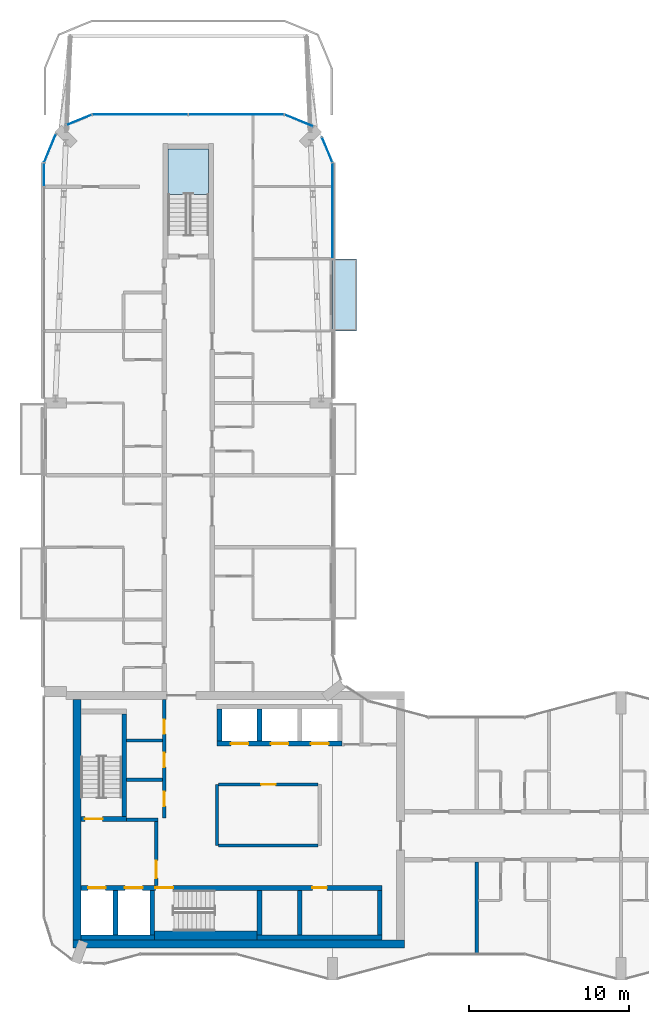
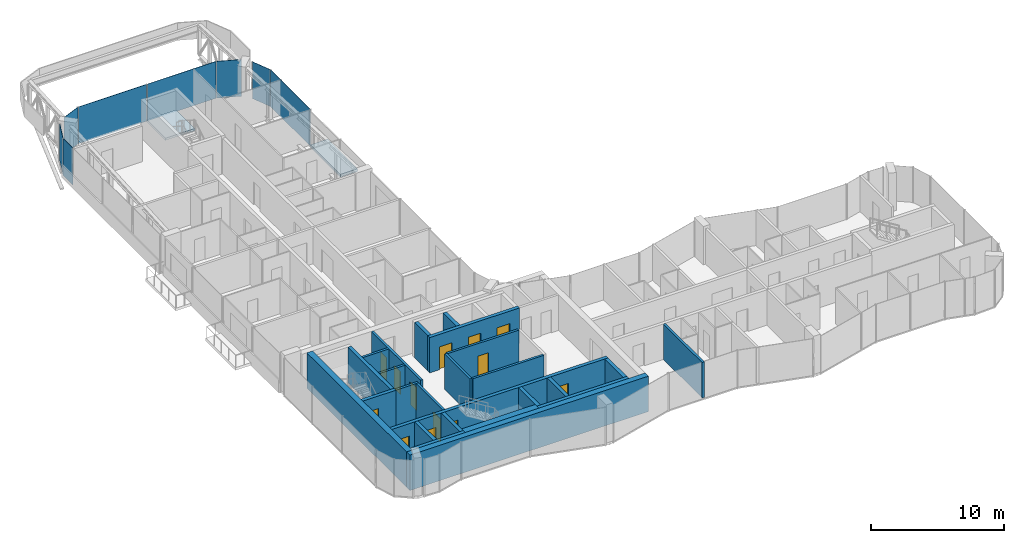
# One storey, part 9 of 17: 25 walls, 13 doors, 8 plates, 2 slabs, 13 openings, 8 elements without a shape of their own.
"""IFC4 building model written with IfcOpenShell, lengths in metres."""

from ifc_helpers import new_model, si_unit, direction, frame, frame_2d, origin, origin_2d, place, context, subcontext, project, spatial, polyline, rectangle, outline, extrude, material, layer, layer_set, type_object, element, fill, aggregate, save


model = new_model("IFC4")

# Units and contexts
model_context = context("Model", 3, precision=1e-05, world=origin(), true_north=direction((0.0, 1.0)))
body_context = subcontext(model_context, "Body", "Model", "MODEL_VIEW")
ifc_project = project(units=[si_unit("LENGTHUNIT", "METRE"), si_unit("AREAUNIT", "SQUARE_METRE"), si_unit("VOLUMEUNIT", "CUBIC_METRE"), si_unit("PLANEANGLEUNIT", "RADIAN"), si_unit("MASSUNIT", "GRAM", prefix="KILO")], contexts=[model_context])

# Site, building, storey
site_placement = place(None, origin())
site = spatial("IfcSite", under=ifc_project, at=site_placement, CompositionType="ELEMENT")
building_placement = place(site_placement, origin())
building = spatial("IfcBuilding", under=site, at=building_placement, Name="Plateau Cross Towers", CompositionType="ELEMENT")
storey_placement = place(building_placement, frame((0.0, 0.0, 222.39990234375)))
storey = spatial("IfcBuildingStorey", under=building, at=storey_placement, Name="L58", CompositionType="ELEMENT", Elevation=222.39990234375)

# Slab
ifc_material_1 = material(Name="Concrete C40/50", Category="concrete")
ifc_layer_1 = layer(ifc_material_1, 0.25)
ifc_layer_set_1 = layer_set([ifc_layer_1], Name="Concrete C40/50")
slab_type_1 = type_object("IfcSlabType", Name="Balcony slab 250", PredefinedType="FLOOR", material=ifc_layer_set_1)
slab_1_placement = place(storey_placement, frame((0.0, 0.0, -0.25)))
element("IfcSlab", 1, at=slab_1_placement, inside=storey, type_object=slab_type_1, Name="Balcony slab A-BAL-L58-05", PredefinedType="FLOOR", context=body_context, shape_type="SweptSolid", body=[
    extrude(outline(polyline([(19.5, 40.5), (19.5, 45.0), (18.0, 45.0), (18.0, 40.5), (19.5, 40.5)])), origin(), (0.0, 0.0, 1.0), 0.25),
])

# Curtain wall, plate
ifc_material_2 = material(Name="Dark low-iron glass", Category="glass")
ifc_layer_2 = layer(ifc_material_2, 0.239990234375)
ifc_layer_set_2 = layer_set([ifc_layer_2], Name="Dark low-iron glass")
curtain_wall_type = type_object("IfcCurtainWallType", Name="Curtain wall flush unitised CW-B", PredefinedType="NOTDEFINED", material=ifc_layer_set_2)
curtain_wall_1_placement = place(storey_placement, origin())
curtain_wall_1 = element("IfcCurtainWall", 2, at=curtain_wall_1_placement, inside=storey, type_object=curtain_wall_type, Name="ENV/A/L58/A180_450", PredefinedType="NOTDEFINED")
ifc_layer_3 = layer(ifc_material_2, 0.031982421875)
ifc_layer_set_3 = layer_set([ifc_layer_3], Name="Dark low-iron glass")
plate_type_1 = type_object("IfcPlateType", Name="Glass panel 32 flush unitised", PredefinedType="CURTAIN_PANEL", material=ifc_layer_set_3)
plate_1_placement = place(storey_placement, frame((18.0, 48.0048828125, -0.1298828125), z_axis=(0.0, 0.0, 1.0), x_axis=(0.0, 1.0, 0.0)))
plate_1 = element("IfcPlate", 3, at=plate_1_placement, type_object=plate_type_1, Name="CW-B panel 1", PredefinedType="CURTAIN_PANEL", context=body_context, shape_type="SweptSolid", body=[
    extrude(rectangle(XDim=5.929931640625, YDim=0.031982421875, at=origin_2d()), origin(), (0.0, 0.0, 1.0), 3.3798828125),
])
aggregate(curtain_wall_1, [plate_1])

curtain_wall_2_placement = place(storey_placement, origin())
curtain_wall_2 = element("IfcCurtainWall", 4, at=curtain_wall_2_placement, inside=storey, type_object=curtain_wall_type, Name="ENV/A/L58/A0_510", PredefinedType="NOTDEFINED")
plate_2_placement = place(storey_placement, frame((0.0, 50.25, -0.1298828125), z_axis=(0.0, 0.0, 1.0), x_axis=(0.0, -1.0, 0.0)))
plate_2 = element("IfcPlate", 5, at=plate_2_placement, type_object=plate_type_1, Name="CW-B panel 1", PredefinedType="CURTAIN_PANEL", context=body_context, shape_type="SweptSolid", body=[
    extrude(rectangle(XDim=1.43994140625, YDim=0.031982421875, at=origin_2d()), origin(), (0.0, 0.0, 1.0), 3.3798828125),
])
aggregate(curtain_wall_2, [plate_2])

# Stair, slab
stair_type = type_object("IfcStairType", Name="ST-TWR", PredefinedType="HALF_TURN_STAIR", material=ifc_material_1)
stair_placement = place(storey_placement, origin())
stair = element("IfcStair", 6, at=stair_placement, inside=storey, type_object=stair_type, Name="L58 Protected Exit Stair N", PredefinedType="HALF_TURN_STAIR")
ifc_layer_4 = layer(ifc_material_1, 0.199951171875)
ifc_layer_set_4 = layer_set([ifc_layer_4], Name="Concrete C40/50")
slab_type_2 = type_object("IfcSlabType", Name="SL-LANDING", PredefinedType="LANDING", material=ifc_layer_set_4)
slab_2_placement = place(storey_placement, frame((0.0, 0.0, 1.550048828125)))
slab_2 = element("IfcSlab", 7, at=slab_2_placement, type_object=slab_type_2, Name="ES-N landing 1", PredefinedType="LANDING", context=body_context, shape_type="SweptSolid", body=[
    extrude(outline(polyline([(10.27490234375, 49.02001953125), (10.27490234375, 51.85009765625), (7.72509765625, 51.85009765625), (7.72509765625, 49.02001953125), (10.27490234375, 49.02001953125)])), origin(), (0.0, 0.0, 1.0), 0.199951171875),
])
aggregate(stair, [slab_2])

# Curtain wall, plate
curtain_wall_3_placement = place(storey_placement, origin())
curtain_wall_3 = element("IfcCurtainWall", 8, at=curtain_wall_3_placement, inside=storey, type_object=curtain_wall_type, Name="ENV/A/L58/A180_510", PredefinedType="NOTDEFINED")
ifc_material_3 = material(Name="Insulated aluminium spandrel panel", Category="aluminium")
ifc_layer_5 = layer(ifc_material_3, 0.031982421875)
ifc_layer_set_5 = layer_set([ifc_layer_5], Name="Insulated aluminium spandrel panel")
plate_type_2 = type_object("IfcPlateType", Name="Spandrel panel 32 flush unitised", PredefinedType="CURTAIN_PANEL", material=ifc_layer_set_5)
plate_3_placement = place(storey_placement, frame((17.66943359375, 51.79833984375, -0.1298828125), z_axis=(0.0, 0.0, 1.0), x_axis=(-0.382683612978, 0.923879457699, 0.0)))
plate_3 = element("IfcPlate", 9, at=plate_3_placement, type_object=plate_type_2, Name="CW-B spandrel panel 1", PredefinedType="CURTAIN_PANEL", context=body_context, shape_type="SweptSolid", body=[
    extrude(rectangle(XDim=1.668212890625, YDim=0.031982421875, at=origin_2d()), origin(), (0.0, 0.0, 1.0), 3.3798828125),
])
aggregate(curtain_wall_3, [plate_3])

curtain_wall_4_placement = place(storey_placement, origin())
curtain_wall_4 = element("IfcCurtainWall", 10, at=curtain_wall_4_placement, inside=storey, type_object=curtain_wall_type, Name="ENV/A/L58/A168_533", PredefinedType="NOTDEFINED")
plate_4_placement = place(storey_placement, frame((15.90283203125, 53.6259765625, -0.1298828125), z_axis=(0.0, 0.0, 1.0), x_axis=(-0.923879457699, 0.382683612978, 0.0)))
plate_4 = element("IfcPlate", 11, at=plate_4_placement, type_object=plate_type_2, Name="CW-B spandrel panel 1", PredefinedType="CURTAIN_PANEL", context=body_context, shape_type="SweptSolid", body=[
    extrude(rectangle(XDim=1.894775390625, YDim=0.031982421875, at=origin_2d()), origin(), (0.0, 0.0, 1.0), 3.3798828125),
])
aggregate(curtain_wall_4, [plate_4])

# Curtain wall, plates
curtain_wall_5_placement = place(storey_placement, origin())
curtain_wall_5 = element("IfcCurtainWall", 12, at=curtain_wall_5_placement, inside=storey, type_object=curtain_wall_type, Name="ENV/A/L58/A150_540", PredefinedType="NOTDEFINED")
plate_5_placement = place(storey_placement, frame((12.0, 54.0, -0.1298828125), z_axis=(0.0, 0.0, 1.0), x_axis=(-1.0, 0.0, 0.0)))
plate_5 = element("IfcPlate", 13, at=plate_5_placement, type_object=plate_type_2, Name="CW-B spandrel panel 1", PredefinedType="CURTAIN_PANEL", context=body_context, shape_type="SweptSolid", body=[
    extrude(rectangle(XDim=5.93994140625, YDim=0.031982421875, at=origin_2d()), origin(), (0.0, 0.0, 1.0), 3.3798828125),
])
plate_6_placement = place(storey_placement, frame((6.0, 54.0, -0.1298828125), z_axis=(0.0, 0.0, 1.0), x_axis=(-1.0, 0.0, 0.0)))
plate_6 = element("IfcPlate", 14, at=plate_6_placement, type_object=plate_type_2, Name="CW-B spandrel panel 2", PredefinedType="CURTAIN_PANEL", context=body_context, shape_type="SweptSolid", body=[
    extrude(rectangle(XDim=5.93994140625, YDim=0.031982421875, at=origin_2d()), origin(), (0.0, 0.0, 1.0), 3.3798828125),
])
aggregate(curtain_wall_5, [plate_5, plate_6])

# Curtain wall, plate
curtain_wall_6_placement = place(storey_placement, origin())
curtain_wall_6 = element("IfcCurtainWall", 15, at=curtain_wall_6_placement, inside=storey, type_object=curtain_wall_type, Name="ENV/A/L58/A30_540", PredefinedType="NOTDEFINED")
plate_7_placement = place(storey_placement, frame((2.20166015625, 53.66943359375, -0.1298828125), z_axis=(0.0, 0.0, 1.0), x_axis=(-0.923879457699, -0.382683612978, 0.0)))
plate_7 = element("IfcPlate", 16, at=plate_7_placement, type_object=plate_type_2, Name="CW-B spandrel panel 1", PredefinedType="CURTAIN_PANEL", context=body_context, shape_type="SweptSolid", body=[
    extrude(rectangle(XDim=1.668212890625, YDim=0.031982421875, at=origin_2d()), origin(), (0.0, 0.0, 1.0), 3.3798828125),
])
aggregate(curtain_wall_6, [plate_7])

curtain_wall_7_placement = place(storey_placement, origin())
curtain_wall_7 = element("IfcCurtainWall", 17, at=curtain_wall_7_placement, inside=storey, type_object=curtain_wall_type, Name="ENV/A/L58/A7_528", PredefinedType="NOTDEFINED")
plate_8_placement = place(storey_placement, frame((0.3740234375, 51.90283203125, -0.1298828125), z_axis=(0.0, 0.0, 1.0), x_axis=(-0.382683612978, -0.923879457699, 0.0)))
plate_8 = element("IfcPlate", 18, at=plate_8_placement, type_object=plate_type_2, Name="CW-B spandrel panel 1", PredefinedType="CURTAIN_PANEL", context=body_context, shape_type="SweptSolid", body=[
    extrude(rectangle(XDim=1.894775390625, YDim=0.031982421875, at=origin_2d()), origin(), (0.0, 0.0, 1.0), 3.3798828125),
])
aggregate(curtain_wall_7, [plate_8])

# Wall, opening, door
ifc_material_4 = material(Name="Concrete block, plastered both sides", Category="concrete")
ifc_layer_6 = layer(ifc_material_4, 0.199951171875)
ifc_layer_set_6 = layer_set([ifc_layer_6], Name="Concrete block, plastered both sides")
wall_type_1 = type_object("IfcWallType", Name="Core partition 200", PredefinedType="PARTITIONING", material=ifc_layer_set_6)
wall_1_placement = place(storey_placement, frame((7.0, 5.89990234375, 0.0), z_axis=(0.0, 0.0, 1.0), x_axis=(0.0, 1.0, 0.0)))
wall_1 = element("IfcWall", 19, at=wall_1_placement, inside=storey, type_object=wall_type_1, Name="Core partition", PredefinedType="PARTITIONING", context=body_context, shape_type="SweptSolid", body=[
    extrude(rectangle(XDim=4.0, YDim=0.199951171875, at=frame_2d((2.0, 0.0))), origin(), (0.0, 0.0, 1.0), 3.25),
])
opening_1_placement = place(wall_1_placement, frame((0.449951171875, 0.0, 0.0)))
opening_1 = element("IfcOpeningElement", 20, at=opening_1_placement, cuts=wall_1, Name="Opening FFD", PredefinedType="OPENING", context=body_context, shape_type="SweptSolid", body=[
    extrude(rectangle(XDim=1.10009765625, YDim=2.10009765625, at=frame_2d((0.550048828125, 1.050048828125))), frame((0.0, 0.10986328125, 0.0), z_axis=(0.0, -1.0, 0.0), x_axis=(1.0, 0.0, 0.0)), (0.0, 0.0, 1.0), 0.219970703125),
])
ifc_material_5 = material(Name="Steel, fire-resisting leaf", Category="steel")
door_type_1 = type_object("IfcDoorType", Name="Firefighting lobby door 1100", OperationType="NOTDEFINED", PredefinedType="DOOR", material=ifc_material_5)
door_1_placement = place(opening_1_placement, origin())
door_1 = element("IfcDoor", 21, at=door_1_placement, inside=storey, type_object=door_type_1, Name="Firefighting lobby door FFD", OperationType="SINGLE_SWING_LEFT", OverallHeight=2.10009765625, OverallWidth=1.10009765625, PredefinedType="DOOR", context=body_context, shape_type="SweptSolid", body=[
    extrude(rectangle(XDim=1.10009765625, YDim=2.10009765625, at=frame_2d((0.550048828125, 1.050048828125))), frame((0.0, 0.02490234375, 0.0), z_axis=(0.0, -1.0, 0.0), x_axis=(1.0, 0.0, 0.0)), (0.0, 0.0, 1.0), 0.050048828125),
])
fill(opening_1, door_1)

# Walls
wall_2_placement = place(storey_placement, frame((5.14990234375, 10.0, 0.0), z_axis=(0.0, 0.0, 1.0), x_axis=(1.0, 0.0, 0.0)))
element("IfcWall", 22, at=wall_2_placement, inside=storey, type_object=wall_type_1, Name="Core partition", PredefinedType="PARTITIONING", context=body_context, shape_type="SweptSolid", body=[
    extrude(rectangle(XDim=1.9501953125, YDim=0.199951171875, at=frame_2d((0.97509765625, 0.0))), origin(), (0.0, 0.0, 1.0), 3.25),
])
wall_3_placement = place(storey_placement, frame((10.800048828125, 8.39990234375, 0.0), z_axis=(0.0, 0.0, 1.0), x_axis=(0.0, 1.0, 0.0)))
element("IfcWall", 23, at=wall_3_placement, inside=storey, type_object=wall_type_1, Name="Core partition", PredefinedType="PARTITIONING", context=body_context, shape_type="SweptSolid", body=[
    extrude(rectangle(XDim=3.800048828125, YDim=0.199951171875, at=frame_2d((1.89990234375, 0.0))), origin(), (0.0, 0.0, 1.0), 3.25),
])
wall_4_placement = place(storey_placement, frame((10.89990234375, 8.39990234375, 0.0), z_axis=(0.0, 0.0, 1.0), x_axis=(1.0, 0.0, 0.0)))
element("IfcWall", 24, at=wall_4_placement, inside=storey, type_object=wall_type_1, Name="Core partition", PredefinedType="PARTITIONING", context=body_context, shape_type="SweptSolid", body=[
    extrude(rectangle(XDim=6.2001953125, YDim=0.199951171875, at=frame_2d((3.10009765625, 0.0))), origin(), (0.0, 0.0, 1.0), 3.25),
])

# Wall, opening, door
wall_5_placement = place(storey_placement, frame((10.89990234375, 12.199951171875, 0.0), z_axis=(0.0, 0.0, 1.0), x_axis=(1.0, 0.0, 0.0)))
wall_5 = element("IfcWall", 25, at=wall_5_placement, inside=storey, type_object=wall_type_1, Name="Core partition", PredefinedType="PARTITIONING", context=body_context, shape_type="SweptSolid", body=[
    extrude(rectangle(XDim=6.2001953125, YDim=0.199951171875, at=frame_2d((3.10009765625, 0.0))), origin(), (0.0, 0.0, 1.0), 3.25),
])
opening_2_placement = place(wall_5_placement, frame((2.64990234375, 0.0, 0.0)))
opening_2 = element("IfcOpeningElement", 26, at=opening_2_placement, cuts=wall_5, Name="Opening RD1", PredefinedType="OPENING", context=body_context, shape_type="SweptSolid", body=[
    extrude(rectangle(XDim=0.89990234375, YDim=2.10009765625, at=frame_2d((0.449951171875, 1.050048828125))), frame((0.0, 0.10986328125, 0.0), z_axis=(0.0, -1.0, 0.0), x_axis=(1.0, 0.0, 0.0)), (0.0, 0.0, 1.0), 0.219970703125),
])
ifc_material_6 = material(Name="Timber, fire-resisting leaf", Category="wood")
door_type_2 = type_object("IfcDoorType", Name="Core service door 900", OperationType="NOTDEFINED", PredefinedType="DOOR", material=ifc_material_6)
door_2_placement = place(opening_2_placement, origin())
door_2 = element("IfcDoor", 27, at=door_2_placement, inside=storey, type_object=door_type_2, Name="Core service door RD1", OperationType="SINGLE_SWING_LEFT", OverallHeight=2.10009765625, OverallWidth=0.89990234375, PredefinedType="DOOR", context=body_context, shape_type="SweptSolid", body=[
    extrude(rectangle(XDim=0.89990234375, YDim=2.10009765625, at=frame_2d((0.449951171875, 1.050048828125))), frame((0.0, 0.02490234375, 0.0), z_axis=(0.0, -1.0, 0.0), x_axis=(1.0, 0.0, 0.0)), (0.0, 0.0, 1.0), 0.050048828125),
])
fill(opening_2, door_2)

# Wall, openings, doors
wall_6_placement = place(storey_placement, frame((7.5, 10.10009765625, 0.0), z_axis=(0.0, 0.0, 1.0), x_axis=(0.0, 1.0, 0.0)))
wall_6 = element("IfcWall", 28, at=wall_6_placement, inside=storey, type_object=wall_type_1, Name="Core partition", PredefinedType="PARTITIONING", context=body_context, shape_type="SweptSolid", body=[
    extrude(rectangle(XDim=7.39990234375, YDim=0.199951171875, at=frame_2d((3.699951171875, 0.0))), origin(), (0.0, 0.0, 1.0), 3.25),
])
opening_3_placement = place(wall_6_placement, frame((0.75, 0.0, 0.0)))
opening_3 = element("IfcOpeningElement", 29, at=opening_3_placement, cuts=wall_6, Name="Opening RD1", PredefinedType="OPENING", context=body_context, shape_type="SweptSolid", body=[
    extrude(rectangle(XDim=0.89990234375, YDim=2.10009765625, at=frame_2d((0.449951171875, 1.050048828125))), frame((0.0, 0.10986328125, 0.0), z_axis=(0.0, -1.0, 0.0), x_axis=(1.0, 0.0, 0.0)), (0.0, 0.0, 1.0), 0.219970703125),
])
opening_4_placement = place(wall_6_placement, frame((3.175048828125, 0.0, 0.0)))
opening_4 = element("IfcOpeningElement", 30, at=opening_4_placement, cuts=wall_6, Name="Opening RD1", PredefinedType="OPENING", context=body_context, shape_type="SweptSolid", body=[
    extrude(rectangle(XDim=0.89990234375, YDim=2.10009765625, at=frame_2d((0.449951171875, 1.050048828125))), frame((0.0, 0.10986328125, 0.0), z_axis=(0.0, -1.0, 0.0), x_axis=(1.0, 0.0, 0.0)), (0.0, 0.0, 1.0), 0.219970703125),
])
opening_5_placement = place(wall_6_placement, frame((5.25, 0.0, 0.0)))
opening_5 = element("IfcOpeningElement", 31, at=opening_5_placement, cuts=wall_6, Name="Opening RD1", PredefinedType="OPENING", context=body_context, shape_type="SweptSolid", body=[
    extrude(rectangle(XDim=0.89990234375, YDim=2.10009765625, at=frame_2d((0.449951171875, 1.050048828125))), frame((0.0, 0.10986328125, 0.0), z_axis=(0.0, -1.0, 0.0), x_axis=(1.0, 0.0, 0.0)), (0.0, 0.0, 1.0), 0.219970703125),
])
door_3_placement = place(opening_3_placement, origin())
door_3 = element("IfcDoor", 32, at=door_3_placement, inside=storey, type_object=door_type_2, Name="Core service door RD1", OperationType="SINGLE_SWING_RIGHT", OverallHeight=2.10009765625, OverallWidth=0.89990234375, PredefinedType="DOOR", context=body_context, shape_type="SweptSolid", body=[
    extrude(rectangle(XDim=0.89990234375, YDim=2.10009765625, at=frame_2d((0.449951171875, 1.050048828125))), frame((0.0, 0.02490234375, 0.0), z_axis=(0.0, -1.0, 0.0), x_axis=(1.0, 0.0, 0.0)), (0.0, 0.0, 1.0), 0.050048828125),
])
fill(opening_3, door_3)
door_4_placement = place(opening_4_placement, origin())
door_4 = element("IfcDoor", 33, at=door_4_placement, inside=storey, type_object=door_type_2, Name="Core service door RD1", OperationType="SINGLE_SWING_RIGHT", OverallHeight=2.10009765625, OverallWidth=0.89990234375, PredefinedType="DOOR", context=body_context, shape_type="SweptSolid", body=[
    extrude(rectangle(XDim=0.89990234375, YDim=2.10009765625, at=frame_2d((0.449951171875, 1.050048828125))), frame((0.0, 0.02490234375, 0.0), z_axis=(0.0, -1.0, 0.0), x_axis=(1.0, 0.0, 0.0)), (0.0, 0.0, 1.0), 0.050048828125),
])
fill(opening_4, door_4)
door_5_placement = place(opening_5_placement, origin())
door_5 = element("IfcDoor", 34, at=door_5_placement, inside=storey, type_object=door_type_2, Name="Core service door RD1", OperationType="SINGLE_SWING_RIGHT", OverallHeight=2.10009765625, OverallWidth=0.89990234375, PredefinedType="DOOR", context=body_context, shape_type="SweptSolid", body=[
    extrude(rectangle(XDim=0.89990234375, YDim=2.10009765625, at=frame_2d((0.449951171875, 1.050048828125))), frame((0.0, 0.02490234375, 0.0), z_axis=(0.0, -1.0, 0.0), x_axis=(1.0, 0.0, 0.0)), (0.0, 0.0, 1.0), 0.050048828125),
])
fill(opening_5, door_5)

# Walls
for number, where, z_axis, x_axis, name in (
    (35, (5.14990234375, 12.5, 0.0), (0.0, 0.0, 1.0), (1.0, 0.0, 0.0), "Core partition"),
    (36, (5.14990234375, 14.949951171875, 0.0), (0.0, 0.0, 1.0), (1.0, 0.0, 0.0), "Core partition"),
):
    element("IfcWall", number, at=place(storey_placement, frame(where, z_axis=z_axis, x_axis=x_axis)), inside=storey, type_object=wall_type_1, Name=name, PredefinedType="PARTITIONING", context=body_context, shape_type="SweptSolid", body=[
        extrude(rectangle(XDim=2.25, YDim=0.199951171875, at=frame_2d((1.125, 0.0))), origin(), (0.0, 0.0, 1.0), 3.25),
    ])
ifc_material_7 = material(Name="Concrete C60/75", Category="concrete")
ifc_layer_7 = layer(ifc_material_7, 0.300048828125)
ifc_layer_set_7 = layer_set([ifc_layer_7], Name="Concrete C60/75")
wall_type_2 = type_object("IfcWallType", Name="Core shaft wall 300", PredefinedType="SHEAR", material=ifc_layer_set_7)
wall_7_placement = place(storey_placement, frame((2.300048828125, 2.64990234375, 0.0), z_axis=(0.0, 0.0, 1.0), x_axis=(1.0, 0.0, 0.0)))
element("IfcWall", 37, at=wall_7_placement, inside=storey, type_object=wall_type_2, Name="A-sb-back1@L58", PredefinedType="SHEAR", context=body_context, shape_type="SweptSolid", body=[
    extrude(rectangle(XDim=4.599853515625, YDim=0.300048828125, at=frame_2d((2.2998046875, 0.0))), origin(), (0.0, 0.0, 1.0), 3.25),
])
wall_8_placement = place(storey_placement, frame((13.300048828125, 2.64990234375, 0.0), z_axis=(0.0, 0.0, 1.0), x_axis=(1.0, 0.0, 0.0)))
element("IfcWall", 38, at=wall_8_placement, inside=storey, type_object=wall_type_2, Name="A-sb-back3@L58", PredefinedType="SHEAR", context=body_context, shape_type="SweptSolid", body=[
    extrude(rectangle(XDim=7.800048828125, YDim=0.300048828125, at=frame_2d((3.89990234375, 0.0))), origin(), (0.0, 0.0, 1.0), 3.25),
])
for number, where, z_axis, x_axis, name in (
    (39, (4.449951171875, 2.800048828125, 0.0), (0.0, 0.0, 1.0), (0.0, 1.0, 0.0), "A-sb-v1@L58"),
    (40, (6.75, 2.800048828125, 0.0), (0.0, 0.0, 1.0), (0.0, 1.0, 0.0), "A-sb-v2@L58"),
    (41, (13.449951171875, 2.800048828125, 0.0), (0.0, 0.0, 1.0), (0.0, 1.0, 0.0), "A-sb-v3@L58"),
    (42, (20.949951171875, 2.800048828125, 0.0), (0.0, 0.0, 1.0), (0.0, 1.0, 0.0), "A-sb-v6@L58"),
):
    element("IfcWall", number, at=place(storey_placement, frame(where, z_axis=z_axis, x_axis=x_axis)), inside=storey, type_object=wall_type_2, Name=name, PredefinedType="SHEAR", context=body_context, shape_type="SweptSolid", body=[
        extrude(rectangle(XDim=2.800048828125, YDim=0.300048828125, at=frame_2d((1.39990234375, 0.0))), origin(), (0.0, 0.0, 1.0), 3.25),
    ])

# Wall, openings, doors
wall_9_placement = place(storey_placement, frame((2.300048828125, 5.75, 0.0), z_axis=(0.0, 0.0, 1.0), x_axis=(1.0, 0.0, 0.0)))
wall_9 = element("IfcWall", 43, at=wall_9_placement, inside=storey, type_object=wall_type_2, Name="A-sb-front@L58", PredefinedType="SHEAR", context=body_context, shape_type="SweptSolid", body=[
    extrude(rectangle(XDim=18.800048828125, YDim=0.300048828125, at=frame_2d((9.39990234375, 0.0))), origin(), (0.0, 0.0, 1.0), 3.25),
])
opening_6_placement = place(wall_9_placement, frame((4.64990234375, 0.0, 0.0)))
opening_6 = element("IfcOpeningElement", 44, at=opening_6_placement, cuts=wall_9, Name="Opening SD", PredefinedType="OPENING", context=body_context, shape_type="SweptSolid", body=[
    extrude(rectangle(XDim=1.10009765625, YDim=2.10009765625, at=frame_2d((0.550048828125, 1.050048828125))), frame((0.0, 0.159912109375, 0.0), z_axis=(0.0, -1.0, 0.0), x_axis=(1.0, 0.0, 0.0)), (0.0, 0.0, 1.0), 0.320068359375),
])
opening_7_placement = place(wall_9_placement, frame((0.449951171875, 0.0, 0.0)))
opening_7 = element("IfcOpeningElement", 45, at=opening_7_placement, cuts=wall_9, Name="Opening LD", PredefinedType="OPENING", context=body_context, shape_type="SweptSolid", body=[
    extrude(rectangle(XDim=1.10009765625, YDim=2.10009765625, at=frame_2d((0.550048828125, 1.050048828125))), frame((0.0, 0.159912109375, 0.0), z_axis=(0.0, -1.0, 0.0), x_axis=(1.0, 0.0, 0.0)), (0.0, 0.0, 1.0), 0.320068359375),
])
opening_8_placement = place(wall_9_placement, frame((2.75, 0.0, 0.0)))
opening_8 = element("IfcOpeningElement", 46, at=opening_8_placement, cuts=wall_9, Name="Opening LD", PredefinedType="OPENING", context=body_context, shape_type="SweptSolid", body=[
    extrude(rectangle(XDim=1.10009765625, YDim=2.10009765625, at=frame_2d((0.550048828125, 1.050048828125))), frame((0.0, 0.159912109375, 0.0), z_axis=(0.0, -1.0, 0.0), x_axis=(1.0, 0.0, 0.0)), (0.0, 0.0, 1.0), 0.320068359375),
])
opening_9_placement = place(wall_9_placement, frame((14.449951171875, 0.0, 0.0)))
opening_9 = element("IfcOpeningElement", 47, at=opening_9_placement, cuts=wall_9, Name="Opening RD2", PredefinedType="OPENING", context=body_context, shape_type="SweptSolid", body=[
    extrude(rectangle(XDim=0.89990234375, YDim=2.10009765625, at=frame_2d((0.449951171875, 1.050048828125))), frame((0.0, 0.159912109375, 0.0), z_axis=(0.0, -1.0, 0.0), x_axis=(1.0, 0.0, 0.0)), (0.0, 0.0, 1.0), 0.320068359375),
])
door_type_3 = type_object("IfcDoorType", Name="Core riser door 900", OperationType="NOTDEFINED", PredefinedType="DOOR", material=ifc_material_5)
door_6_placement = place(opening_9_placement, origin())
door_6 = element("IfcDoor", 48, at=door_6_placement, inside=storey, type_object=door_type_3, Name="Core riser door RD2", OperationType="SINGLE_SWING_LEFT", OverallHeight=2.10009765625, OverallWidth=0.89990234375, PredefinedType="DOOR", context=body_context, shape_type="SweptSolid", body=[
    extrude(rectangle(XDim=0.89990234375, YDim=2.10009765625, at=frame_2d((0.449951171875, 1.050048828125))), frame((0.0, 0.02490234375, 0.0), z_axis=(0.0, -1.0, 0.0), x_axis=(1.0, 0.0, 0.0)), (0.0, 0.0, 1.0), 0.050048828125),
])
fill(opening_9, door_6)
ifc_material_8 = material(Name="Stainless steel, fire-resisting sliding leaves", Category="steel")
door_type_4 = type_object("IfcDoorType", Name="Lift landing door 1100", OperationType="NOTDEFINED", PredefinedType="DOOR", material=ifc_material_8)
door_7_placement = place(opening_7_placement, origin())
door_7 = element("IfcDoor", 49, at=door_7_placement, inside=storey, type_object=door_type_4, Name="Lift landing door LD", OperationType="DOUBLE_DOOR_SLIDING", OverallHeight=2.10009765625, OverallWidth=1.10009765625, PredefinedType="DOOR", context=body_context, shape_type="SweptSolid", body=[
    extrude(rectangle(XDim=1.10009765625, YDim=2.10009765625, at=frame_2d((0.550048828125, 1.050048828125))), frame((0.0, 0.02490234375, 0.0), z_axis=(0.0, -1.0, 0.0), x_axis=(1.0, 0.0, 0.0)), (0.0, 0.0, 1.0), 0.050048828125),
])
fill(opening_7, door_7)
door_8_placement = place(opening_8_placement, origin())
door_8 = element("IfcDoor", 50, at=door_8_placement, inside=storey, type_object=door_type_4, Name="Lift landing door LD", OperationType="DOUBLE_DOOR_SLIDING", OverallHeight=2.10009765625, OverallWidth=1.10009765625, PredefinedType="DOOR", context=body_context, shape_type="SweptSolid", body=[
    extrude(rectangle(XDim=1.10009765625, YDim=2.10009765625, at=frame_2d((0.550048828125, 1.050048828125))), frame((0.0, 0.02490234375, 0.0), z_axis=(0.0, -1.0, 0.0), x_axis=(1.0, 0.0, 0.0)), (0.0, 0.0, 1.0), 0.050048828125),
])
fill(opening_8, door_8)
door_type_5 = type_object("IfcDoorType", Name="Stair door 1100", OperationType="NOTDEFINED", PredefinedType="DOOR", material=ifc_material_5)
door_9_placement = place(opening_6_placement, origin())
door_9 = element("IfcDoor", 51, at=door_9_placement, inside=storey, type_object=door_type_5, Name="Stair door SD", OperationType="SINGLE_SWING_LEFT", OverallHeight=2.10009765625, OverallWidth=1.10009765625, PredefinedType="DOOR", context=body_context, shape_type="SweptSolid", body=[
    extrude(rectangle(XDim=1.10009765625, YDim=2.10009765625, at=frame_2d((0.550048828125, 1.050048828125))), frame((0.0, 0.02490234375, 0.0), z_axis=(0.0, -1.0, 0.0), x_axis=(1.0, 0.0, 0.0)), (0.0, 0.0, 1.0), 0.050048828125),
])
fill(opening_6, door_9)

# Wall, opening, door
wall_10_placement = place(storey_placement, frame((2.300048828125, 10.050048828125, 0.0), z_axis=(0.0, 0.0, 1.0), x_axis=(1.0, 0.0, 0.0)))
wall_10 = element("IfcWall", 52, at=wall_10_placement, inside=storey, type_object=wall_type_2, Name="A-st1-S@L58", PredefinedType="SHEAR", context=body_context, shape_type="SweptSolid", body=[
    extrude(rectangle(XDim=2.849853515625, YDim=0.300048828125, at=frame_2d((1.4248046875, 0.0))), origin(), (0.0, 0.0, 1.0), 3.25),
])
opening_10_placement = place(wall_10_placement, frame((0.25, 0.0, 0.0)))
opening_10 = element("IfcOpeningElement", 53, at=opening_10_placement, cuts=wall_10, Name="Opening SD", PredefinedType="OPENING", context=body_context, shape_type="SweptSolid", body=[
    extrude(rectangle(XDim=1.10009765625, YDim=2.10009765625, at=frame_2d((0.550048828125, 1.050048828125))), frame((0.0, 0.159912109375, 0.0), z_axis=(0.0, -1.0, 0.0), x_axis=(1.0, 0.0, 0.0)), (0.0, 0.0, 1.0), 0.320068359375),
])
door_10_placement = place(opening_10_placement, origin())
door_10 = element("IfcDoor", 54, at=door_10_placement, inside=storey, type_object=door_type_5, Name="Stair door SD", OperationType="SINGLE_SWING_RIGHT", OverallHeight=2.10009765625, OverallWidth=1.10009765625, PredefinedType="DOOR", context=body_context, shape_type="SweptSolid", body=[
    extrude(rectangle(XDim=1.10009765625, YDim=2.10009765625, at=frame_2d((0.550048828125, 1.050048828125))), frame((0.0, 0.02490234375, 0.0), z_axis=(0.0, -1.0, 0.0), x_axis=(1.0, 0.0, 0.0)), (0.0, 0.0, 1.0), 0.050048828125),
])
fill(opening_10, door_10)

# Wall
wall_11_placement = place(storey_placement, frame((5.0, 10.199951171875, 0.0), z_axis=(0.0, 0.0, 1.0), x_axis=(0.0, 1.0, 0.0)))
element("IfcWall", 55, at=wall_11_placement, inside=storey, type_object=wall_type_2, Name="A-st1-E@L58", PredefinedType="SHEAR", context=body_context, shape_type="SweptSolid", body=[
    extrude(rectangle(XDim=6.400146484375, YDim=0.300048828125, at=frame_2d((3.2001953125, 0.0))), origin(), (0.0, 0.0, 1.0), 3.25),
])

# Wall, openings, doors
wall_12_placement = place(storey_placement, frame((10.800048828125, 14.75, 0.0), z_axis=(0.0, 0.0, 1.0), x_axis=(1.0, 0.0, 0.0)))
wall_12 = element("IfcWall", 56, at=wall_12_placement, inside=storey, type_object=wall_type_2, Name="A-nb-front@L58", PredefinedType="SHEAR", context=body_context, shape_type="SweptSolid", body=[
    extrude(rectangle(XDim=7.800048828125, YDim=0.300048828125, at=frame_2d((3.89990234375, 0.0))), origin(), (0.0, 0.0, 1.0), 3.25),
])
opening_11_placement = place(wall_12_placement, frame((0.85009765625, 0.0, 0.0)))
opening_11 = element("IfcOpeningElement", 57, at=opening_11_placement, cuts=wall_12, Name="Opening LD", PredefinedType="OPENING", context=body_context, shape_type="SweptSolid", body=[
    extrude(rectangle(XDim=1.10009765625, YDim=2.10009765625, at=frame_2d((0.550048828125, 1.050048828125))), frame((0.0, 0.159912109375, 0.0), z_axis=(0.0, -1.0, 0.0), x_axis=(1.0, 0.0, 0.0)), (0.0, 0.0, 1.0), 0.320068359375),
])
opening_12_placement = place(wall_12_placement, frame((3.35009765625, 0.0, 0.0)))
opening_12 = element("IfcOpeningElement", 58, at=opening_12_placement, cuts=wall_12, Name="Opening LD", PredefinedType="OPENING", context=body_context, shape_type="SweptSolid", body=[
    extrude(rectangle(XDim=1.10009765625, YDim=2.10009765625, at=frame_2d((0.550048828125, 1.050048828125))), frame((0.0, 0.159912109375, 0.0), z_axis=(0.0, -1.0, 0.0), x_axis=(1.0, 0.0, 0.0)), (0.0, 0.0, 1.0), 0.320068359375),
])
opening_13_placement = place(wall_12_placement, frame((5.85009765625, 0.0, 0.0)))
opening_13 = element("IfcOpeningElement", 59, at=opening_13_placement, cuts=wall_12, Name="Opening LD", PredefinedType="OPENING", context=body_context, shape_type="SweptSolid", body=[
    extrude(rectangle(XDim=1.10009765625, YDim=2.10009765625, at=frame_2d((0.550048828125, 1.050048828125))), frame((0.0, 0.159912109375, 0.0), z_axis=(0.0, -1.0, 0.0), x_axis=(1.0, 0.0, 0.0)), (0.0, 0.0, 1.0), 0.320068359375),
])
door_11_placement = place(opening_11_placement, origin())
door_11 = element("IfcDoor", 60, at=door_11_placement, inside=storey, type_object=door_type_4, Name="Lift landing door LD", OperationType="DOUBLE_DOOR_SLIDING", OverallHeight=2.10009765625, OverallWidth=1.10009765625, PredefinedType="DOOR", context=body_context, shape_type="SweptSolid", body=[
    extrude(rectangle(XDim=1.10009765625, YDim=2.10009765625, at=frame_2d((0.550048828125, 1.050048828125))), frame((0.0, 0.02490234375, 0.0), z_axis=(0.0, -1.0, 0.0), x_axis=(1.0, 0.0, 0.0)), (0.0, 0.0, 1.0), 0.050048828125),
])
fill(opening_11, door_11)
door_12_placement = place(opening_12_placement, origin())
door_12 = element("IfcDoor", 61, at=door_12_placement, inside=storey, type_object=door_type_4, Name="Lift landing door LD", OperationType="DOUBLE_DOOR_SLIDING", OverallHeight=2.10009765625, OverallWidth=1.10009765625, PredefinedType="DOOR", context=body_context, shape_type="SweptSolid", body=[
    extrude(rectangle(XDim=1.10009765625, YDim=2.10009765625, at=frame_2d((0.550048828125, 1.050048828125))), frame((0.0, 0.02490234375, 0.0), z_axis=(0.0, -1.0, 0.0), x_axis=(1.0, 0.0, 0.0)), (0.0, 0.0, 1.0), 0.050048828125),
])
fill(opening_12, door_12)
door_13_placement = place(opening_13_placement, origin())
door_13 = element("IfcDoor", 62, at=door_13_placement, inside=storey, type_object=door_type_4, Name="Lift landing door LD", OperationType="DOUBLE_DOOR_SLIDING", OverallHeight=2.10009765625, OverallWidth=1.10009765625, PredefinedType="DOOR", context=body_context, shape_type="SweptSolid", body=[
    extrude(rectangle(XDim=1.10009765625, YDim=2.10009765625, at=frame_2d((0.550048828125, 1.050048828125))), frame((0.0, 0.02490234375, 0.0), z_axis=(0.0, -1.0, 0.0), x_axis=(1.0, 0.0, 0.0)), (0.0, 0.0, 1.0), 0.050048828125),
])
fill(opening_13, door_13)

# Walls
for number, where, z_axis, x_axis, name in (
    (63, (10.949951171875, 14.89990234375, 0.0), (0.0, 0.0, 1.0), (0.0, 1.0, 0.0), "A-nb-v1@L58"),
    (64, (13.449951171875, 14.89990234375, 0.0), (0.0, 0.0, 1.0), (0.0, 1.0, 0.0), "A-nb-v2@L58"),
):
    element("IfcWall", number, at=place(storey_placement, frame(where, z_axis=z_axis, x_axis=x_axis)), inside=storey, type_object=wall_type_2, Name=name, PredefinedType="SHEAR", context=body_context, shape_type="SweptSolid", body=[
        extrude(rectangle(XDim=2.0, YDim=0.300048828125, at=frame_2d((1.0, 0.0))), origin(), (0.0, 0.0, 1.0), 3.25),
    ])
wall_13_placement = place(storey_placement, frame((15.949951171875, 2.800048828125, 0.0), z_axis=(0.0, 0.0, 1.0), x_axis=(0.0, 1.0, 0.0)))
element("IfcWall", 65, at=wall_13_placement, inside=storey, type_object=wall_type_2, Name="A-sb-v4@L59", PredefinedType="SHEAR", context=body_context, shape_type="SweptSolid", body=[
    extrude(rectangle(XDim=2.800048828125, YDim=0.300048828125, at=frame_2d((1.39990234375, 0.0))), origin(), (0.0, 0.0, 1.0), 3.25),
])
ifc_layer_8 = layer(ifc_material_7, 0.550048828125)
ifc_layer_set_8 = layer_set([ifc_layer_8], Name="Concrete C60/75")
wall_type_3 = type_object("IfcWallType", Name="Core shaft wall 550", PredefinedType="SHEAR", material=ifc_layer_set_8)
wall_14_placement = place(storey_placement, frame((6.89990234375, 2.77490234375, 0.0), z_axis=(0.0, 0.0, 1.0), x_axis=(1.0, 0.0, 0.0)))
element("IfcWall", 66, at=wall_14_placement, inside=storey, type_object=wall_type_3, Name="A-sb-back2@L58", PredefinedType="SHEAR", context=body_context, shape_type="SweptSolid", body=[
    extrude(rectangle(XDim=6.400146484375, YDim=0.550048828125, at=frame_2d((3.2001953125, 0.0))), origin(), (0.0, 0.0, 1.0), 3.25),
])
ifc_layer_9 = layer(ifc_material_7, 0.5)
ifc_layer_set_9 = layer_set([ifc_layer_9], Name="Concrete C60/75")
wall_type_4 = type_object("IfcWallType", Name="Core shell wall 500", PredefinedType="SHEAR", material=ifc_layer_set_9)
wall_15_placement = place(storey_placement, frame((1.800048828125, 2.25, 0.0), z_axis=(0.0, 0.0, 1.0), x_axis=(1.0, 0.0, 0.0)))
element("IfcWall", 67, at=wall_15_placement, inside=storey, type_object=wall_type_4, Name="A-core-S@L58", PredefinedType="SHEAR", context=body_context, shape_type="SweptSolid", body=[
    extrude(rectangle(XDim=20.699951171875, YDim=0.5, at=frame_2d((10.35009765625, 0.0))), origin(), (0.0, 0.0, 1.0), 3.25),
])
wall_16_placement = place(storey_placement, frame((2.050048828125, 2.5, 0.0), z_axis=(0.0, 0.0, 1.0), x_axis=(0.0, 1.0, 0.0)))
element("IfcWall", 68, at=wall_16_placement, inside=storey, type_object=wall_type_4, Name="A-core-W@L58", PredefinedType="SHEAR", context=body_context, shape_type="SweptSolid", body=[
    extrude(rectangle(XDim=15.0, YDim=0.5, at=frame_2d((7.5, 0.0))), origin(), (0.0, 0.0, 1.0), 3.25),
])
ifc_material_9 = material(Name="Gypsum board on steel studs, two layers each side", Category="steel")
ifc_layer_10 = layer(ifc_material_9, 0.199951171875)
ifc_layer_set_10 = layer_set([ifc_layer_10], Name="Gypsum board on steel studs, two layers each side")
wall_type_5 = type_object("IfcWallType", Name="Flat party wall 200", PredefinedType="PARTITIONING", material=ifc_layer_set_10)
wall_17_placement = place(storey_placement, frame((27.0, 1.52685546875, 0.0), z_axis=(0.0, 0.0, 1.0), x_axis=(0.0, 1.0, 0.0)))
element("IfcWall", 69, at=wall_17_placement, inside=storey, type_object=wall_type_5, Name="Party wall", PredefinedType="PARTITIONING", context=body_context, shape_type="SweptSolid", body=[
    extrude(rectangle(XDim=5.835693359375, YDim=0.199951171875, at=frame_2d((2.91796875, 0.0))), origin(), (0.0, 0.0, 1.0), 3.25),
])

save(model, "model.ifc")
